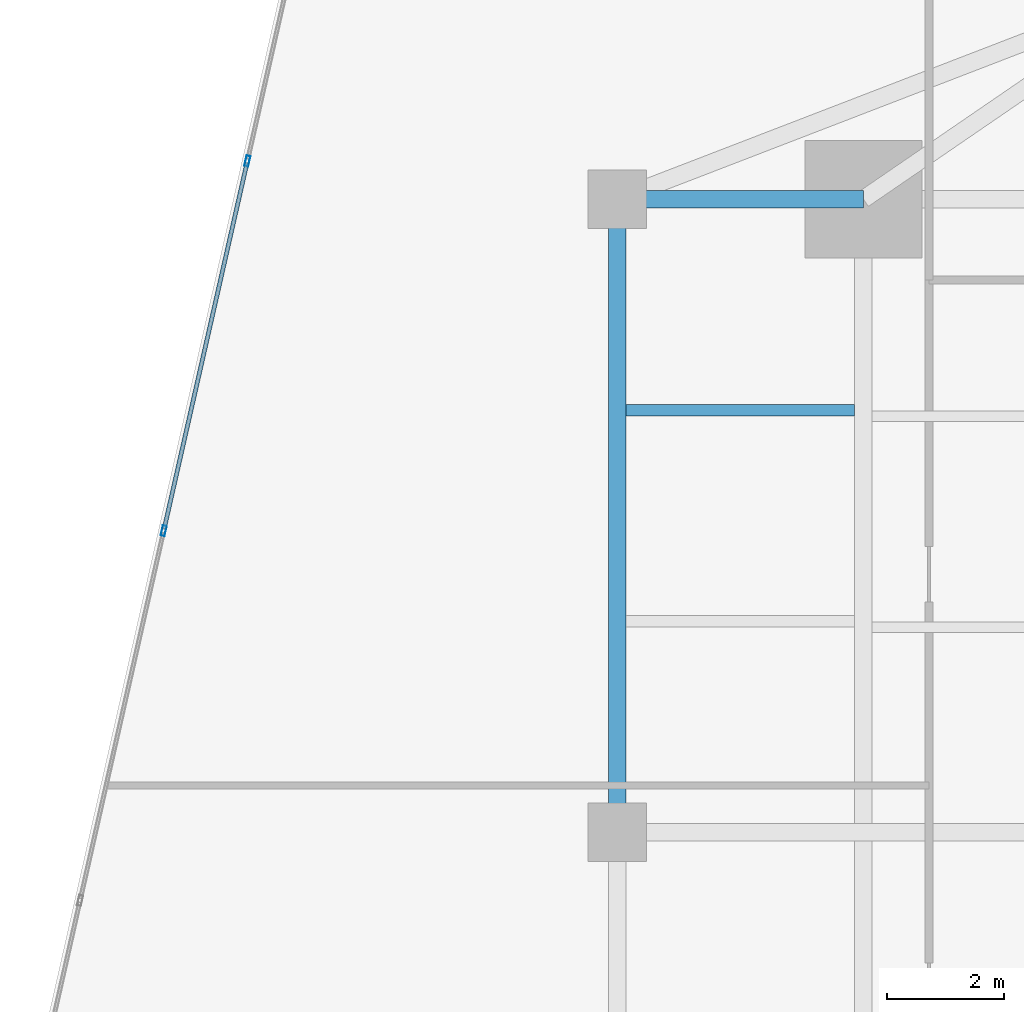
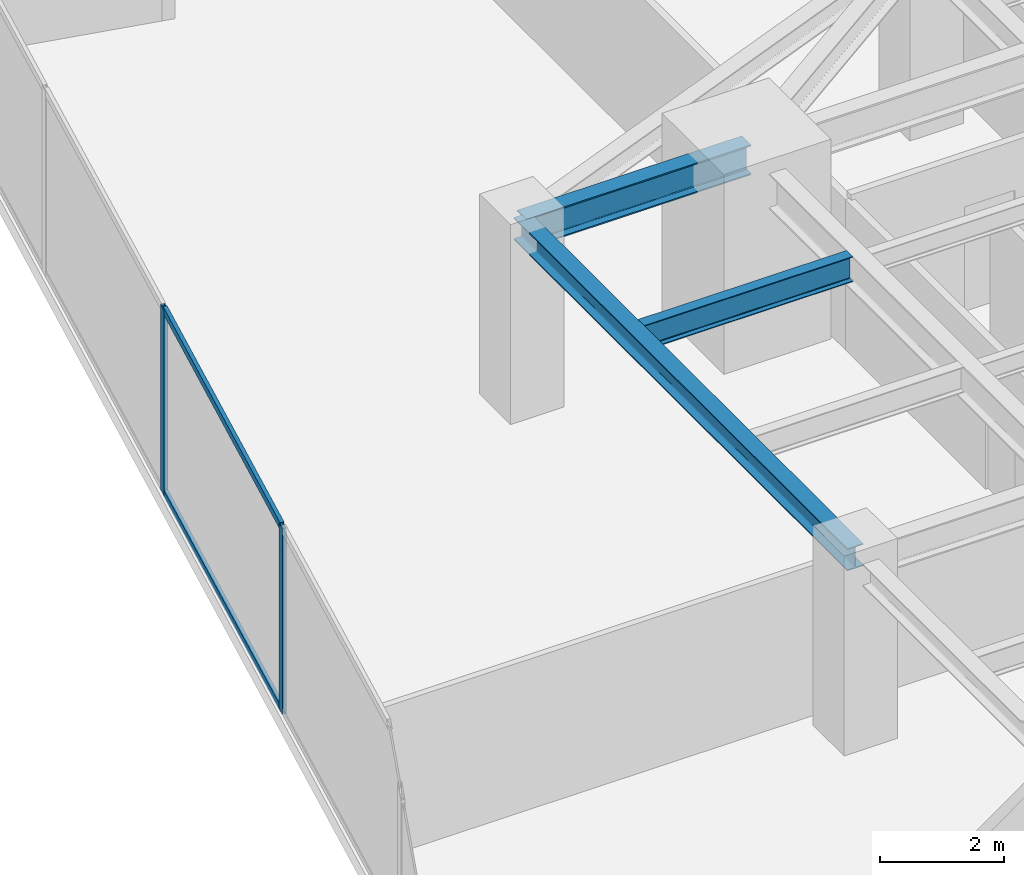
# One storey, part 14 of 26: 4 members, 3 beams, 1 element without a shape of its own.
"""IFC4 building model written with IfcOpenShell, lengths in metres."""

from ifc_helpers import new_model, si_unit, direction, frame, origin, origin_2d, place, context, subcontext, project, spatial, hollow_rectangle, i_section, extrude, source, transform, mapped, material, material_profile, profile_set, type_object, type_shapes, element, aggregate, save


model = new_model("IFC4")

# Units and contexts
model_context = context("Model", 3, precision=1e-05, world=origin(), true_north=direction((0.0, 1.0)))
body_context = subcontext(model_context, "Body", "Model", "MODEL_VIEW")
ifc_project = project(units=[si_unit("LENGTHUNIT", "METRE"), si_unit("AREAUNIT", "SQUARE_METRE"), si_unit("VOLUMEUNIT", "CUBIC_METRE"), si_unit("PLANEANGLEUNIT", "RADIAN"), si_unit("MASSUNIT", "GRAM", prefix="KILO")], contexts=[model_context])

# Site, building, storey
site_placement = place(None, origin())
site = spatial("IfcSite", under=ifc_project, at=site_placement, CompositionType="ELEMENT")
building_placement = place(site_placement, origin())
building = spatial("IfcBuilding", under=site, at=building_placement, Name="Krantzveldt Concourse Tower", CompositionType="ELEMENT")
storey_placement = place(building_placement, frame((0.0, 0.0, 90.050048828125)))
storey = spatial("IfcBuildingStorey", under=building, at=storey_placement, Name="L21", CompositionType="ELEMENT", Elevation=90.050048828125)

# Beams
ifc_material_1 = material(Name="Steel S355JR", Category="steel")
ifc_material_profile_1 = material_profile(ifc_material_1, i_section(OverallWidth=0.300048828125, OverallDepth=0.43994140625, WebThickness=0.011474609375, FlangeThickness=0.02099609375, FilletRadius=0.027099609375, at=origin_2d()), Name="Steel S355JR", Category="steel")
ifc_profile_set_1 = profile_set([ifc_material_profile_1], Name="Steel S355JR - HEA 450")
beam_type_1 = type_object("IfcBeamType", Name="BM-SP-HEA450", PredefinedType="SPANDREL", material=ifc_profile_set_1)
shared_shape_1 = source(origin(), body_context, "Body", "SweptSolid", [
    extrude(i_section(OverallWidth=0.300048828125, OverallDepth=0.43994140625, WebThickness=0.011474609375, FlangeThickness=0.02099609375, FilletRadius=0.027099609375, at=origin_2d()), origin(), (0.0, 0.0, 1.0), 10.800048828125),
])
type_shapes(beam_type_1, [shared_shape_1])
beam_1_placement = place(storey_placement, frame((21.0, 26.699951171875, 3.449951171875), z_axis=(0.0, 1.0, 0.0), x_axis=(-1.0, 0.0, 0.0)))
element("IfcBeam", 1, at=beam_1_placement, inside=storey, type_object=beam_type_1, Name="L21 Tower Girder SP-R02", PredefinedType="SPANDREL", context=body_context, shape_type="MappedRepresentation", body=[
    mapped(shared_shape_1, transform((0.0, 0.0, 0.0), x_axis=(1.0, 0.0, 0.0), y_axis=(0.0, 1.0, 0.0), z_axis=(0.0, 0.0, 1.0), scale=1.0)),
])
ifc_material_profile_2 = material_profile(ifc_material_1, i_section(OverallWidth=0.300048828125, OverallDepth=0.590087890625, WebThickness=0.012939453125, FlangeThickness=0.02490234375, FilletRadius=0.027099609375, at=origin_2d()), Name="Steel S355JR", Category="steel")
ifc_profile_set_2 = profile_set([ifc_material_profile_2], Name="Steel S355JR - HEA 600")
beam_type_2 = type_object("IfcBeamType", Name="BM-B-HEA600", PredefinedType="BEAM", material=ifc_profile_set_2)
shared_shape_2 = source(origin(), body_context, "Body", "SweptSolid", [
    extrude(i_section(OverallWidth=0.300048828125, OverallDepth=0.590087890625, WebThickness=0.012939453125, FlangeThickness=0.02490234375, FilletRadius=0.027099609375, at=origin_2d()), origin(), (0.0, 0.0, 1.0), 4.199951171875),
])
type_shapes(beam_type_2, [shared_shape_2])
beam_2_placement = place(storey_placement, frame((21.0, 37.5, 3.375), z_axis=(1.0, 0.0, 0.0), x_axis=(0.0, 1.0, 0.0)))
element("IfcBeam", 2, at=beam_2_placement, inside=storey, type_object=beam_type_2, Name="L21 Tower Girder BR-RL3", PredefinedType="BEAM", context=body_context, shape_type="MappedRepresentation", body=[
    mapped(shared_shape_2, transform((0.0, 0.0, 0.0), x_axis=(1.0, 0.0, 0.0), y_axis=(0.0, 1.0, 0.0), z_axis=(0.0, 0.0, 1.0), scale=1.0)),
])
ifc_material_profile_3 = material_profile(ifc_material_1, i_section(OverallWidth=0.199951171875, OverallDepth=0.5, WebThickness=0.01025390625, FlangeThickness=0.01611328125, FilletRadius=0.02099609375, at=origin_2d()), Name="Steel S355JR", Category="steel")
ifc_profile_set_3 = profile_set([ifc_material_profile_3], Name="Steel S355JR - IPE 500")
beam_type_3 = type_object("IfcBeamType", Name="BM-J-IPE500", PredefinedType="JOIST", material=ifc_profile_set_3)
shared_shape_3 = source(origin(), body_context, "Body", "SweptSolid", [
    extrude(i_section(OverallWidth=0.199951171875, OverallDepth=0.5, WebThickness=0.01025390625, FlangeThickness=0.01611328125, FilletRadius=0.02099609375, at=origin_2d()), origin(), (0.0, 0.0, 1.0), 3.900146484375),
])
type_shapes(beam_type_3, [shared_shape_3])
beam_3_placement = place(storey_placement, frame((21.14990234375, 33.89990234375, 3.419921875), z_axis=(1.0, 0.0, 0.0), x_axis=(0.0, 1.0, 0.0)))
element("IfcBeam", 3, at=beam_3_placement, inside=storey, type_object=beam_type_3, Name="L21 Secondary Floor Joist JW-4", PredefinedType="JOIST", context=body_context, shape_type="MappedRepresentation", body=[
    mapped(shared_shape_3, transform((0.0, 0.0, 0.0), x_axis=(1.0, 0.0, 0.0), y_axis=(0.0, 1.0, 0.0), z_axis=(0.0, 0.0, 1.0), scale=1.0)),
])

# Curtain wall, members
ifc_material_2 = material(Name="Anodised aluminium 6063-T6", Category="aluminium")
curtain_wall_type = type_object("IfcCurtainWallType", Name="CW2", PredefinedType="USERDEFINED", material=ifc_material_2)
curtain_wall_placement = place(storey_placement, origin())
curtain_wall = element("IfcCurtainWall", 4, at=curtain_wall_placement, inside=storey, type_object=curtain_wall_type, Name="CW-L21-F01", ObjectType="UNITISED CURTAIN WALL", PredefinedType="USERDEFINED")
ifc_material_profile_4 = material_profile(ifc_material_2, hollow_rectangle(XDim=0.070068359375, YDim=0.179931640625, WallThickness=0.0048828125, at=origin_2d()), Name="Anodised aluminium 6063-T6", Category="aluminium")
ifc_profile_set_4 = profile_set([ifc_material_profile_4], Name="Anodised aluminium 6063-T6 - ALU-MULL 180x70x5")
member_type_1 = type_object("IfcMemberType", Name="CW-MUL-180", PredefinedType="MULLION", material=ifc_profile_set_4)
shared_shape_4 = source(origin(), body_context, "Body", "SweptSolid", [
    extrude(hollow_rectangle(XDim=0.070068359375, YDim=0.179931640625, WallThickness=0.0048828125, at=origin_2d()), origin(), (0.0, 0.0, 1.0), 3.669921875),
])
type_shapes(member_type_1, [shared_shape_4])
member_1_placement = place(storey_placement, frame((14.69189453125, 38.151611328125, 0.0), z_axis=(0.0, 0.0, 1.0), x_axis=(0.975342320609, -0.220697434579, 0.0)))
member_1 = element("IfcMember", 5, at=member_1_placement, type_object=member_type_1, Name="CW-Z12 mullion 3", PredefinedType="MULLION", context=body_context, shape_type="MappedRepresentation", body=[
    mapped(shared_shape_4, transform((0.0, 0.0, 0.0), x_axis=(1.0, 0.0, 0.0), y_axis=(0.0, 1.0, 0.0), z_axis=(0.0, 0.0, 1.0), scale=1.0)),
])
member_2_placement = place(storey_placement, frame((13.2646484375, 31.844482421875, 0.0), z_axis=(0.0, 0.0, 1.0), x_axis=(0.975342320609, -0.220697434579, 0.0)))
member_2 = element("IfcMember", 6, at=member_2_placement, type_object=member_type_1, Name="CW-Z12 mullion 4", PredefinedType="MULLION", context=body_context, shape_type="MappedRepresentation", body=[
    mapped(shared_shape_4, transform((0.0, 0.0, 0.0), x_axis=(1.0, 0.0, 0.0), y_axis=(0.0, 1.0, 0.0), z_axis=(0.0, 0.0, 1.0), scale=1.0)),
])
ifc_material_profile_5 = material_profile(ifc_material_2, hollow_rectangle(XDim=0.070068359375, YDim=0.139892578125, WallThickness=0.0048828125, at=origin_2d()), Name="Anodised aluminium 6063-T6", Category="aluminium")
ifc_profile_set_5 = profile_set([ifc_material_profile_5], Name="Anodised aluminium 6063-T6 - ALU-TRAN 140x70x5")
member_type_2 = type_object("IfcMemberType", Name="CW-TRN-150", PredefinedType="USERDEFINED", material=ifc_profile_set_5)
shared_shape_5 = source(origin(), body_context, "Body", "SweptSolid", [
    extrude(hollow_rectangle(XDim=0.070068359375, YDim=0.139892578125, WallThickness=0.0048828125, at=origin_2d()), origin(), (0.0, 0.0, 1.0), 6.396484375),
])
type_shapes(member_type_2, [shared_shape_5])
member_3_placement = place(storey_placement, frame((14.684326171875, 38.117431640625, 0.034912109375), z_axis=(-0.2207235823, -0.975336403615, 0.0), x_axis=(0.975336403615, -0.2207235823, 0.0)))
member_3 = element("IfcMember", 7, at=member_3_placement, type_object=member_type_2, Name="CW-Z12 transom 3.1", ObjectType="TRANSOM", PredefinedType="USERDEFINED", context=body_context, shape_type="MappedRepresentation", body=[
    mapped(shared_shape_5, transform((0.0, 0.0, 0.0), x_axis=(1.0, 0.0, 0.0), y_axis=(0.0, 1.0, 0.0), z_axis=(0.0, 0.0, 1.0), scale=1.0)),
])
member_4_placement = place(storey_placement, frame((14.684326171875, 38.117431640625, 3.635009765625), z_axis=(-0.2207235823, -0.975336403615, 0.0), x_axis=(0.975336403615, -0.2207235823, 0.0)))
member_4 = element("IfcMember", 8, at=member_4_placement, type_object=member_type_2, Name="CW-Z12 transom 3.2", ObjectType="TRANSOM", PredefinedType="USERDEFINED", context=body_context, shape_type="MappedRepresentation", body=[
    mapped(shared_shape_5, transform((0.0, 0.0, 0.0), x_axis=(1.0, 0.0, 0.0), y_axis=(0.0, 1.0, 0.0), z_axis=(0.0, 0.0, 1.0), scale=1.0)),
])
aggregate(curtain_wall, [member_1, member_2, member_3, member_4])

save(model, "model.ifc")
